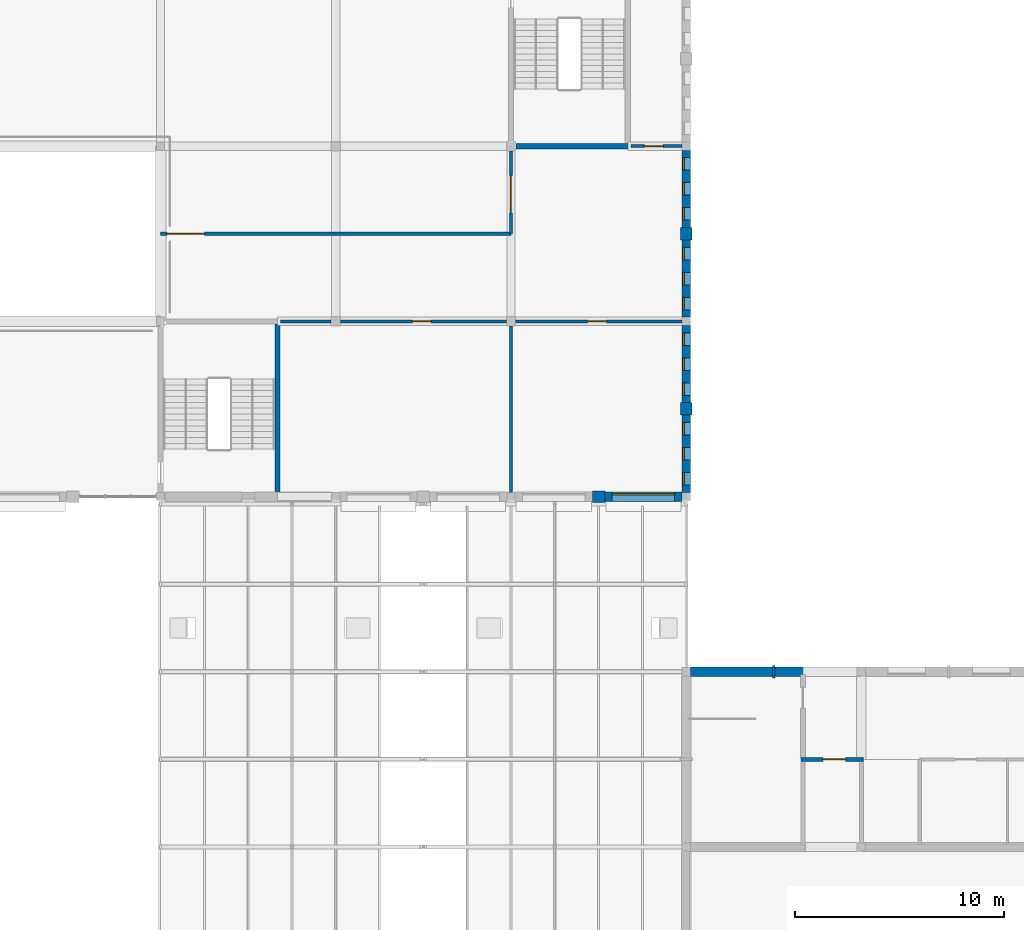
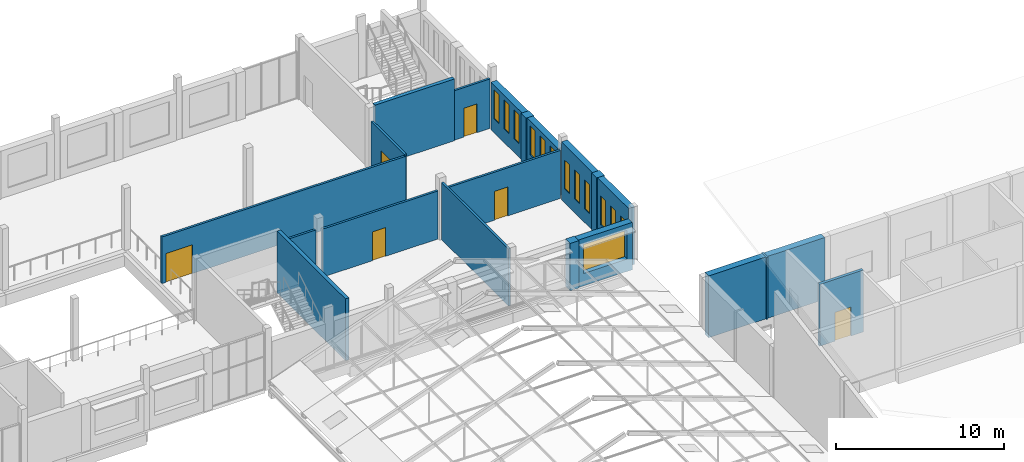
# One storey, part 101 of 116: 21 walls, 13 windows, 6 doors, 19 openings.
"""IFC4 building model written with IfcOpenShell, lengths in metres."""

from ifc_helpers import new_model, si_unit, direction, frame, frame_2d, origin, place, context, subcontext, project, spatial, rectangle, extrude, material, layer, layer_set, type_object, element, fill, save


model = new_model("IFC4")

# Units and contexts
model_context = context("Model", 3, precision=1e-05, world=origin(), true_north=direction((0.0, 1.0)))
body_context = subcontext(model_context, "Body", "Model", "MODEL_VIEW")
ifc_project = project(units=[si_unit("LENGTHUNIT", "METRE"), si_unit("AREAUNIT", "SQUARE_METRE"), si_unit("VOLUMEUNIT", "CUBIC_METRE"), si_unit("PLANEANGLEUNIT", "RADIAN"), si_unit("MASSUNIT", "GRAM", prefix="KILO")], contexts=[model_context])

# Site, building, storey
site_placement = place(None, origin())
site = spatial("IfcSite", under=ifc_project, at=site_placement, CompositionType="ELEMENT")
building_placement = place(site_placement, origin())
building = spatial("IfcBuilding", under=site, at=building_placement, Name="Fescue Hill Polytechnic", CompositionType="ELEMENT")
storey_placement = place(building_placement, frame((0.0, 0.0, 13.5)))
storey = spatial("IfcBuildingStorey", under=building, at=storey_placement, Name="L03", CompositionType="ELEMENT", Elevation=13.5)

# Walls
ifc_material_1 = material(Name="Clay brick masonry", Category="masonry")
ifc_layer_1 = layer(ifc_material_1, 0.550048828125)
ifc_layer_set_1 = layer_set([ifc_layer_1], Name="Clay brick masonry")
wall_type_1 = type_object("IfcWallType", Name="Brick pier 600x550", PredefinedType="SOLIDWALL", material=ifc_layer_set_1)
wall_1_placement = place(storey_placement, frame((113.10009765625, 109.199951171875, 0.0), z_axis=(0.0, 0.0, 1.0), x_axis=(1.0, 0.0, 0.0)))
element("IfcWall", 1, at=wall_1_placement, inside=storey, type_object=wall_type_1, Name="PR-L03-V4b-7", PredefinedType="SOLIDWALL", context=body_context, shape_type="SweptSolid", body=[
    extrude(rectangle(XDim=0.599853515625, YDim=0.550048828125, at=frame_2d((0.2998046875, 0.0))), origin(), (0.0, 0.0, 1.0), 3.449951171875),
])
wall_2_placement = place(storey_placement, frame((117.60009765625, 113.10009765625, 0.0), z_axis=(0.0, 0.0, 1.0), x_axis=(0.0, 1.0, 0.0)))
element("IfcWall", 2, at=wall_2_placement, inside=storey, type_object=wall_type_1, Name="PR-L03-V4b-8", PredefinedType="SOLIDWALL", context=body_context, shape_type="SweptSolid", body=[
    extrude(rectangle(XDim=0.599853515625, YDim=0.550048828125, at=frame_2d((0.2998046875, 0.0))), origin(), (0.0, 0.0, 1.0), 4.199951171875),
])
wall_3_placement = place(storey_placement, frame((117.60009765625, 121.5, 0.0), z_axis=(0.0, 0.0, 1.0), x_axis=(0.0, 1.0, 0.0)))
element("IfcWall", 3, at=wall_3_placement, inside=storey, type_object=wall_type_1, Name="PR-L03-V4b-9", PredefinedType="SOLIDWALL", context=body_context, shape_type="SweptSolid", body=[
    extrude(rectangle(XDim=0.60009765625, YDim=0.550048828125, at=frame_2d((0.300048828125, 0.0))), origin(), (0.0, 0.0, 1.0), 3.449951171875),
])
ifc_material_2 = material(Name="Concrete 40 MPa", Category="concrete")
ifc_layer_2 = layer(ifc_material_2, 0.25)
ifc_layer_set_2 = layer_set([ifc_layer_2], Name="Concrete 40 MPa")
wall_type_2 = type_object("IfcWallType", Name="Core wall 250", PredefinedType="SHEAR", material=ifc_layer_set_2)
wall_4_placement = place(storey_placement, frame((109.449951171875, 126.0, 0.0), z_axis=(0.0, 0.0, 1.0), x_axis=(1.0, 0.0, 0.0)))
element("IfcWall", 4, at=wall_4_placement, inside=storey, type_object=wall_type_2, Name="CW-L03-ST-V4b-2-11", PredefinedType="SHEAR", context=body_context, shape_type="SweptSolid", body=[
    extrude(rectangle(XDim=5.47509765625, YDim=0.25, at=frame_2d((2.737548828125, 0.0))), origin(), (0.0, 0.0, 1.0), 4.5),
])
wall_5_placement = place(storey_placement, frame((98.0, 109.324951171875, 0.0), z_axis=(0.0, 0.0, 1.0), x_axis=(0.0, 1.0, 0.0)))
element("IfcWall", 5, at=wall_5_placement, inside=storey, type_object=wall_type_2, Name="CW-L03-ST-V4b-3-41", PredefinedType="SHEAR", context=body_context, shape_type="SweptSolid", body=[
    extrude(rectangle(XDim=8.150146484375, YDim=0.25, at=frame_2d((4.0751953125, 0.0))), origin(), (0.0, 0.0, 1.0), 4.5),
])
ifc_material_3 = material(Name="Gypsum board partition")
ifc_layer_3 = layer(ifc_material_3, 0.14990234375)
ifc_layer_set_3 = layer_set([ifc_layer_3], Name="Gypsum board partition")
wall_type_3 = type_object("IfcWallType", Name="Corridor wall 150 EI 45", PredefinedType="PARTITIONING", material=ifc_layer_set_3)
wall_6_placement = place(storey_placement, frame((98.14990234375, 117.60009765625, 0.0), z_axis=(0.0, 0.0, 1.0), x_axis=(1.0, 0.0, 0.0)))
element("IfcWall", 6, at=wall_6_placement, inside=storey, type_object=wall_type_3, Name="IW-L03-025", PredefinedType="PARTITIONING", context=body_context, shape_type="SweptSolid", body=[
    extrude(rectangle(XDim=2.425048828125, YDim=0.14990234375, at=frame_2d((1.21240234375, 0.0))), origin(), (0.0, 0.0, 1.0), 3.60009765625),
])

# Wall, opening, door
wall_7_placement = place(storey_placement, frame((101.02490234375, 117.60009765625, 0.0), z_axis=(0.0, 0.0, 1.0), x_axis=(1.0, 0.0, 0.0)))
wall_7 = element("IfcWall", 7, at=wall_7_placement, inside=storey, type_object=wall_type_3, Name="IW-L03-026", PredefinedType="PARTITIONING", context=body_context, shape_type="SweptSolid", body=[
    extrude(rectangle(XDim=7.9501953125, YDim=0.14990234375, at=frame_2d((3.97509765625, 0.0))), origin(), (0.0, 0.0, 1.0), 3.5),
])
opening_1_placement = place(wall_7_placement, frame((3.449951171875, 0.0, 0.0)))
opening_1 = element("IfcOpeningElement", 8, at=opening_1_placement, cuts=wall_7, Name="Opening D3030", PredefinedType="OPENING", context=body_context, shape_type="SweptSolid", body=[
    extrude(rectangle(XDim=0.89990234375, YDim=2.10009765625, at=frame_2d((0.449951171875, 1.050048828125))), frame((0.0, 0.0849609375, 0.0), z_axis=(0.0, -1.0, 0.0), x_axis=(1.0, 0.0, 0.0)), (0.0, 0.0, 1.0), 0.169921875),
])
ifc_material_4 = material(Name="Timber", Category="wood")
door_type_1 = type_object("IfcDoorType", Name="Door single swing 900x2100 FD30S", OperationType="SINGLE_SWING_LEFT", PredefinedType="DOOR", material=ifc_material_4)
door_1_placement = place(opening_1_placement, origin())
door_1 = element("IfcDoor", 9, at=door_1_placement, inside=storey, type_object=door_type_1, Name="Door D3030", OperationType="SINGLE_SWING_LEFT", OverallHeight=2.10009765625, OverallWidth=0.89990234375, PredefinedType="DOOR", context=body_context, shape_type="SweptSolid", body=[
    extrude(rectangle(XDim=0.89990234375, YDim=2.10009765625, at=frame_2d((0.449951171875, 1.050048828125))), frame((0.0, 0.02490234375, 0.0), z_axis=(0.0, -1.0, 0.0), x_axis=(1.0, 0.0, 0.0)), (0.0, 0.0, 1.0), 0.050048828125),
])
fill(opening_1, door_1)

wall_8_placement = place(storey_placement, frame((109.425048828125, 117.60009765625, 0.0), z_axis=(0.0, 0.0, 1.0), x_axis=(1.0, 0.0, 0.0)))
wall_8 = element("IfcWall", 10, at=wall_8_placement, inside=storey, type_object=wall_type_3, Name="IW-L03-027", PredefinedType="PARTITIONING", context=body_context, shape_type="SweptSolid", body=[
    extrude(rectangle(XDim=7.974853515625, YDim=0.14990234375, at=frame_2d((3.9873046875, 0.0))), origin(), (0.0, 0.0, 1.0), 3.5),
])
opening_2_placement = place(wall_8_placement, frame((3.449951171875, 0.0, 0.0)))
opening_2 = element("IfcOpeningElement", 11, at=opening_2_placement, cuts=wall_8, Name="Opening D3031", PredefinedType="OPENING", context=body_context, shape_type="SweptSolid", body=[
    extrude(rectangle(XDim=0.89990234375, YDim=2.10009765625, at=frame_2d((0.449951171875, 1.050048828125))), frame((0.0, 0.0849609375, 0.0), z_axis=(0.0, -1.0, 0.0), x_axis=(1.0, 0.0, 0.0)), (0.0, 0.0, 1.0), 0.169921875),
])
door_2_placement = place(opening_2_placement, origin())
door_2 = element("IfcDoor", 12, at=door_2_placement, inside=storey, type_object=door_type_1, Name="Door D3031", OperationType="SINGLE_SWING_LEFT", OverallHeight=2.10009765625, OverallWidth=0.89990234375, PredefinedType="DOOR", context=body_context, shape_type="SweptSolid", body=[
    extrude(rectangle(XDim=0.89990234375, YDim=2.10009765625, at=frame_2d((0.449951171875, 1.050048828125))), frame((0.0, 0.02490234375, 0.0), z_axis=(0.0, -1.0, 0.0), x_axis=(1.0, 0.0, 0.0)), (0.0, 0.0, 1.0), 0.050048828125),
])
fill(opening_2, door_2)

wall_9_placement = place(storey_placement, frame((92.39990234375, 121.800048828125, 0.0), z_axis=(0.0, 0.0, 1.0), x_axis=(1.0, 0.0, 0.0)))
wall_9 = element("IfcWall", 13, at=wall_9_placement, inside=storey, type_object=wall_type_3, Name="IW-L03-034", PredefinedType="PARTITIONING", context=body_context, shape_type="SweptSolid", body=[
    extrude(rectangle(XDim=16.800048828125, YDim=0.14990234375, at=frame_2d((8.39990234375, 0.0))), origin(), (0.0, 0.0, 1.0), 3.39990234375),
])
opening_3_placement = place(wall_9_placement, frame((0.300048828125, 0.0, 0.0)))
opening_3 = element("IfcOpeningElement", 14, at=opening_3_placement, cuts=wall_9, Name="Opening D3035", PredefinedType="OPENING", context=body_context, shape_type="SweptSolid", body=[
    extrude(rectangle(XDim=1.800048828125, YDim=2.10009765625, at=frame_2d((0.89990234375, 1.050048828125))), frame((0.0, 0.0849609375, 0.0), z_axis=(0.0, -1.0, 0.0), x_axis=(1.0, 0.0, 0.0)), (0.0, 0.0, 1.0), 0.169921875),
])
door_type_2 = type_object("IfcDoorType", Name="Door double swing 1800x2100 FD30S", OperationType="DOUBLE_DOOR_SINGLE_SWING", PredefinedType="DOOR", material=ifc_material_4)
door_3_placement = place(opening_3_placement, origin())
door_3 = element("IfcDoor", 15, at=door_3_placement, inside=storey, type_object=door_type_2, Name="Door D3035", OperationType="DOUBLE_DOOR_SINGLE_SWING", OverallHeight=2.10009765625, OverallWidth=1.800048828125, PredefinedType="DOOR", context=body_context, shape_type="SweptSolid", body=[
    extrude(rectangle(XDim=1.800048828125, YDim=2.10009765625, at=frame_2d((0.89990234375, 1.050048828125))), frame((0.0, 0.02490234375, 0.0), z_axis=(0.0, -1.0, 0.0), x_axis=(1.0, 0.0, 0.0)), (0.0, 0.0, 1.0), 0.050048828125),
])
fill(opening_3, door_3)

# Wall, opening, window
ifc_layer_4 = layer(ifc_material_2, 0.449951171875)
ifc_layer_set_4 = layer_set([ifc_layer_4], Name="Concrete 40 MPa")
wall_type_4 = type_object("IfcWallType", Name="Exterior wall board-marked concrete 450", PredefinedType="SOLIDWALL", material=ifc_layer_set_4)
wall_10_placement = place(storey_placement, frame((113.699951171875, 109.199951171875, 0.0), z_axis=(0.0, 0.0, 1.0), x_axis=(1.0, 0.0, 0.0)))
wall_10 = element("IfcWall", 16, at=wall_10_placement, inside=storey, type_object=wall_type_4, Name="EW-L03-V4b-14", PredefinedType="SOLIDWALL", context=body_context, shape_type="SweptSolid", body=[
    extrude(rectangle(XDim=3.699951171875, YDim=0.449951171875, at=frame_2d((1.85009765625, 0.0))), origin(), (0.0, 0.0, 1.0), 3.449951171875),
])
opening_4_placement = place(wall_10_placement, frame((0.35009765625, 0.0, 0.89990234375)))
opening_4 = element("IfcOpeningElement", 17, at=opening_4_placement, cuts=wall_10, Name="Opening W5", PredefinedType="OPENING", context=body_context, shape_type="SweptSolid", body=[
    extrude(rectangle(XDim=3.0, YDim=2.10009765625, at=frame_2d((1.5, 1.050048828125))), frame((0.0, 0.23486328125, 0.0), z_axis=(0.0, -1.0, 0.0), x_axis=(1.0, 0.0, 0.0)), (0.0, 0.0, 1.0), 0.469970703125),
])
ifc_material_5 = material(Name="Powder-coated aluminium and glass", Category="aluminium")
window_type_1 = type_object("IfcWindowType", Name="Window studio large 3000x2100", PartitioningType="SINGLE_PANEL", PredefinedType="WINDOW", material=ifc_material_5)
window_1_placement = place(opening_4_placement, origin())
window_1 = element("IfcWindow", 18, at=window_1_placement, inside=storey, type_object=window_type_1, Name="WN-L03-V4b-7", OverallHeight=2.10009765625, OverallWidth=3.0, PartitioningType="SINGLE_PANEL", PredefinedType="WINDOW", context=body_context, shape_type="SweptSolid", body=[
    extrude(rectangle(XDim=3.0, YDim=2.10009765625, at=frame_2d((1.5, 1.050048828125))), frame((0.0, 0.135009765625, 0.0), z_axis=(0.0, -1.0, 0.0), x_axis=(1.0, 0.0, 0.0)), (0.0, 0.0, 1.0), 0.06005859375),
])
fill(opening_4, window_1)

# Walls
ifc_layer_5 = layer(ifc_material_2, 0.449951171875)
ifc_layer_set_5 = layer_set([ifc_layer_5], Name="Concrete 40 MPa")
wall_type_5 = type_object("IfcWallType", Name="Exterior wall board-marked concrete 450 load-bearing", PredefinedType="SOLIDWALL", material=ifc_layer_set_5)
for number, where, z_axis, x_axis, name in (
    (19, (125.800048828125, 100.800048828125, 0.0), (0.0, 0.0, 1.0), (-1.0, 0.0, 0.0), "EW-L03-V2-7"),
    (20, (121.739990234375, 100.800048828125, 0.0), (0.0, 0.0, 1.0), (-1.0, 0.0, 0.0), "EW-L03-V2-8"),
):
    element("IfcWall", number, at=place(storey_placement, frame(where, z_axis=z_axis, x_axis=x_axis)), inside=storey, type_object=wall_type_5, Name=name, PredefinedType="SOLIDWALL", context=body_context, shape_type="SweptSolid", body=[
        extrude(rectangle(XDim=3.93994140625, YDim=0.449951171875, at=frame_2d((1.969970703125, 0.0))), origin(), (0.0, 0.0, 1.0), 4.5),
    ])

# Wall, openings, windows
ifc_layer_6 = layer(ifc_material_1, 0.419921875)
ifc_layer_set_6 = layer_set([ifc_layer_6], Name="Clay brick masonry")
wall_type_6 = type_object("IfcWallType", Name="Exterior wall buff-red brick cavity 420", PredefinedType="SOLIDWALL", material=ifc_layer_set_6)
wall_11_placement = place(storey_placement, frame((117.60009765625, 109.39990234375, 0.0), z_axis=(0.0, 0.0, 1.0), x_axis=(0.0, 1.0, 0.0)))
wall_11 = element("IfcWall", 21, at=wall_11_placement, inside=storey, type_object=wall_type_6, Name="EW-L03-V4b-15", PredefinedType="SOLIDWALL", context=body_context, shape_type="SweptSolid", body=[
    extrude(rectangle(XDim=3.7001953125, YDim=0.419921875, at=frame_2d((1.85009765625, 0.0))), origin(), (0.0, 0.0, 1.0), 4.199951171875),
])
opening_5_placement = place(wall_11_placement, frame((0.35009765625, 0.0, 1.0)))
opening_5 = element("IfcOpeningElement", 22, at=opening_5_placement, cuts=wall_11, Name="Opening W6", PredefinedType="OPENING", context=body_context, shape_type="SweptSolid", body=[
    extrude(rectangle(XDim=0.60009765625, YDim=2.10009765625, at=frame_2d((0.300048828125, 1.050048828125))), frame((0.0, 0.219970703125, 0.0), z_axis=(0.0, -1.0, 0.0), x_axis=(1.0, 0.0, 0.0)), (0.0, 0.0, 1.0), 0.43994140625),
])
opening_6_placement = place(wall_11_placement, frame((1.550048828125, 0.0, 1.0)))
opening_6 = element("IfcOpeningElement", 23, at=opening_6_placement, cuts=wall_11, Name="Opening W6", PredefinedType="OPENING", context=body_context, shape_type="SweptSolid", body=[
    extrude(rectangle(XDim=0.60009765625, YDim=2.10009765625, at=frame_2d((0.300048828125, 1.050048828125))), frame((0.0, 0.219970703125, 0.0), z_axis=(0.0, -1.0, 0.0), x_axis=(1.0, 0.0, 0.0)), (0.0, 0.0, 1.0), 0.43994140625),
])
opening_7_placement = place(wall_11_placement, frame((2.75, 0.0, 1.0)))
opening_7 = element("IfcOpeningElement", 24, at=opening_7_placement, cuts=wall_11, Name="Opening W6", PredefinedType="OPENING", context=body_context, shape_type="SweptSolid", body=[
    extrude(rectangle(XDim=0.60009765625, YDim=2.10009765625, at=frame_2d((0.300048828125, 1.050048828125))), frame((0.0, 0.219970703125, 0.0), z_axis=(0.0, -1.0, 0.0), x_axis=(1.0, 0.0, 0.0)), (0.0, 0.0, 1.0), 0.43994140625),
])
window_type_2 = type_object("IfcWindowType", Name="Window slot 600x2100", PartitioningType="SINGLE_PANEL", PredefinedType="WINDOW", material=ifc_material_5)
window_2_placement = place(opening_5_placement, origin())
window_2 = element("IfcWindow", 25, at=window_2_placement, inside=storey, type_object=window_type_2, Name="WN-L03-V4b-8", OverallHeight=2.10009765625, OverallWidth=0.60009765625, PartitioningType="SINGLE_PANEL", PredefinedType="WINDOW", context=body_context, shape_type="SweptSolid", body=[
    extrude(rectangle(XDim=0.60009765625, YDim=2.10009765625, at=frame_2d((0.300048828125, 1.050048828125))), frame((0.0, 0.150146484375, 0.0), z_axis=(0.0, -1.0, 0.0), x_axis=(1.0, 0.0, 0.0)), (0.0, 0.0, 1.0), 0.06005859375),
])
fill(opening_5, window_2)
window_3_placement = place(opening_6_placement, origin())
window_3 = element("IfcWindow", 26, at=window_3_placement, inside=storey, type_object=window_type_2, Name="WN-L03-V4b-9", OverallHeight=2.10009765625, OverallWidth=0.60009765625, PartitioningType="SINGLE_PANEL", PredefinedType="WINDOW", context=body_context, shape_type="SweptSolid", body=[
    extrude(rectangle(XDim=0.60009765625, YDim=2.10009765625, at=frame_2d((0.300048828125, 1.050048828125))), frame((0.0, 0.150146484375, 0.0), z_axis=(0.0, -1.0, 0.0), x_axis=(1.0, 0.0, 0.0)), (0.0, 0.0, 1.0), 0.06005859375),
])
fill(opening_6, window_3)
window_4_placement = place(opening_7_placement, origin())
window_4 = element("IfcWindow", 27, at=window_4_placement, inside=storey, type_object=window_type_2, Name="WN-L03-V4b-10", OverallHeight=2.10009765625, OverallWidth=0.60009765625, PartitioningType="SINGLE_PANEL", PredefinedType="WINDOW", context=body_context, shape_type="SweptSolid", body=[
    extrude(rectangle(XDim=0.60009765625, YDim=2.10009765625, at=frame_2d((0.300048828125, 1.050048828125))), frame((0.0, 0.150146484375, 0.0), z_axis=(0.0, -1.0, 0.0), x_axis=(1.0, 0.0, 0.0)), (0.0, 0.0, 1.0), 0.06005859375),
])
fill(opening_7, window_4)

wall_12_placement = place(storey_placement, frame((117.60009765625, 113.699951171875, 0.0), z_axis=(0.0, 0.0, 1.0), x_axis=(0.0, 1.0, 0.0)))
wall_12 = element("IfcWall", 28, at=wall_12_placement, inside=storey, type_object=wall_type_6, Name="EW-L03-V4b-16", PredefinedType="SOLIDWALL", context=body_context, shape_type="SweptSolid", body=[
    extrude(rectangle(XDim=3.699951171875, YDim=0.419921875, at=frame_2d((1.85009765625, 0.0))), origin(), (0.0, 0.0, 1.0), 4.199951171875),
])
opening_8_placement = place(wall_12_placement, frame((0.35009765625, 0.0, 1.0)))
opening_8 = element("IfcOpeningElement", 29, at=opening_8_placement, cuts=wall_12, Name="Opening W6", PredefinedType="OPENING", context=body_context, shape_type="SweptSolid", body=[
    extrude(rectangle(XDim=0.60009765625, YDim=2.10009765625, at=frame_2d((0.300048828125, 1.050048828125))), frame((0.0, 0.219970703125, 0.0), z_axis=(0.0, -1.0, 0.0), x_axis=(1.0, 0.0, 0.0)), (0.0, 0.0, 1.0), 0.43994140625),
])
opening_9_placement = place(wall_12_placement, frame((1.550048828125, 0.0, 1.0)))
opening_9 = element("IfcOpeningElement", 30, at=opening_9_placement, cuts=wall_12, Name="Opening W6", PredefinedType="OPENING", context=body_context, shape_type="SweptSolid", body=[
    extrude(rectangle(XDim=0.60009765625, YDim=2.10009765625, at=frame_2d((0.300048828125, 1.050048828125))), frame((0.0, 0.219970703125, 0.0), z_axis=(0.0, -1.0, 0.0), x_axis=(1.0, 0.0, 0.0)), (0.0, 0.0, 1.0), 0.43994140625),
])
opening_10_placement = place(wall_12_placement, frame((2.75, 0.0, 1.0)))
opening_10 = element("IfcOpeningElement", 31, at=opening_10_placement, cuts=wall_12, Name="Opening W6", PredefinedType="OPENING", context=body_context, shape_type="SweptSolid", body=[
    extrude(rectangle(XDim=0.60009765625, YDim=2.10009765625, at=frame_2d((0.300048828125, 1.050048828125))), frame((0.0, 0.219970703125, 0.0), z_axis=(0.0, -1.0, 0.0), x_axis=(1.0, 0.0, 0.0)), (0.0, 0.0, 1.0), 0.43994140625),
])
window_5_placement = place(opening_8_placement, origin())
window_5 = element("IfcWindow", 32, at=window_5_placement, inside=storey, type_object=window_type_2, Name="WN-L03-V4b-11", OverallHeight=2.10009765625, OverallWidth=0.60009765625, PartitioningType="SINGLE_PANEL", PredefinedType="WINDOW", context=body_context, shape_type="SweptSolid", body=[
    extrude(rectangle(XDim=0.60009765625, YDim=2.10009765625, at=frame_2d((0.300048828125, 1.050048828125))), frame((0.0, 0.150146484375, 0.0), z_axis=(0.0, -1.0, 0.0), x_axis=(1.0, 0.0, 0.0)), (0.0, 0.0, 1.0), 0.06005859375),
])
fill(opening_8, window_5)
window_6_placement = place(opening_9_placement, origin())
window_6 = element("IfcWindow", 33, at=window_6_placement, inside=storey, type_object=window_type_2, Name="WN-L03-V4b-12", OverallHeight=2.10009765625, OverallWidth=0.60009765625, PartitioningType="SINGLE_PANEL", PredefinedType="WINDOW", context=body_context, shape_type="SweptSolid", body=[
    extrude(rectangle(XDim=0.60009765625, YDim=2.10009765625, at=frame_2d((0.300048828125, 1.050048828125))), frame((0.0, 0.150146484375, 0.0), z_axis=(0.0, -1.0, 0.0), x_axis=(1.0, 0.0, 0.0)), (0.0, 0.0, 1.0), 0.06005859375),
])
fill(opening_9, window_6)
window_7_placement = place(opening_10_placement, origin())
window_7 = element("IfcWindow", 34, at=window_7_placement, inside=storey, type_object=window_type_2, Name="WN-L03-V4b-13", OverallHeight=2.10009765625, OverallWidth=0.60009765625, PartitioningType="SINGLE_PANEL", PredefinedType="WINDOW", context=body_context, shape_type="SweptSolid", body=[
    extrude(rectangle(XDim=0.60009765625, YDim=2.10009765625, at=frame_2d((0.300048828125, 1.050048828125))), frame((0.0, 0.150146484375, 0.0), z_axis=(0.0, -1.0, 0.0), x_axis=(1.0, 0.0, 0.0)), (0.0, 0.0, 1.0), 0.06005859375),
])
fill(opening_10, window_7)

wall_13_placement = place(storey_placement, frame((117.60009765625, 117.800048828125, 0.0), z_axis=(0.0, 0.0, 1.0), x_axis=(0.0, 1.0, 0.0)))
wall_13 = element("IfcWall", 35, at=wall_13_placement, inside=storey, type_object=wall_type_6, Name="EW-L03-V4b-17", PredefinedType="SOLIDWALL", context=body_context, shape_type="SweptSolid", body=[
    extrude(rectangle(XDim=3.699951171875, YDim=0.419921875, at=frame_2d((1.85009765625, 0.0))), origin(), (0.0, 0.0, 1.0), 3.449951171875),
])
opening_11_placement = place(wall_13_placement, frame((0.35009765625, 0.0, 1.0)))
opening_11 = element("IfcOpeningElement", 36, at=opening_11_placement, cuts=wall_13, Name="Opening W6", PredefinedType="OPENING", context=body_context, shape_type="SweptSolid", body=[
    extrude(rectangle(XDim=0.60009765625, YDim=2.10009765625, at=frame_2d((0.300048828125, 1.050048828125))), frame((0.0, 0.219970703125, 0.0), z_axis=(0.0, -1.0, 0.0), x_axis=(1.0, 0.0, 0.0)), (0.0, 0.0, 1.0), 0.43994140625),
])
opening_12_placement = place(wall_13_placement, frame((1.550048828125, 0.0, 1.0)))
opening_12 = element("IfcOpeningElement", 37, at=opening_12_placement, cuts=wall_13, Name="Opening W6", PredefinedType="OPENING", context=body_context, shape_type="SweptSolid", body=[
    extrude(rectangle(XDim=0.60009765625, YDim=2.10009765625, at=frame_2d((0.300048828125, 1.050048828125))), frame((0.0, 0.219970703125, 0.0), z_axis=(0.0, -1.0, 0.0), x_axis=(1.0, 0.0, 0.0)), (0.0, 0.0, 1.0), 0.43994140625),
])
opening_13_placement = place(wall_13_placement, frame((2.75, 0.0, 1.0)))
opening_13 = element("IfcOpeningElement", 38, at=opening_13_placement, cuts=wall_13, Name="Opening W6", PredefinedType="OPENING", context=body_context, shape_type="SweptSolid", body=[
    extrude(rectangle(XDim=0.60009765625, YDim=2.10009765625, at=frame_2d((0.300048828125, 1.050048828125))), frame((0.0, 0.219970703125, 0.0), z_axis=(0.0, -1.0, 0.0), x_axis=(1.0, 0.0, 0.0)), (0.0, 0.0, 1.0), 0.43994140625),
])
window_8_placement = place(opening_11_placement, origin())
window_8 = element("IfcWindow", 39, at=window_8_placement, inside=storey, type_object=window_type_2, Name="WN-L03-V4b-14", OverallHeight=2.10009765625, OverallWidth=0.60009765625, PartitioningType="SINGLE_PANEL", PredefinedType="WINDOW", context=body_context, shape_type="SweptSolid", body=[
    extrude(rectangle(XDim=0.60009765625, YDim=2.10009765625, at=frame_2d((0.300048828125, 1.050048828125))), frame((0.0, 0.150146484375, 0.0), z_axis=(0.0, -1.0, 0.0), x_axis=(1.0, 0.0, 0.0)), (0.0, 0.0, 1.0), 0.06005859375),
])
fill(opening_11, window_8)
window_9_placement = place(opening_12_placement, origin())
window_9 = element("IfcWindow", 40, at=window_9_placement, inside=storey, type_object=window_type_2, Name="WN-L03-V4b-15", OverallHeight=2.10009765625, OverallWidth=0.60009765625, PartitioningType="SINGLE_PANEL", PredefinedType="WINDOW", context=body_context, shape_type="SweptSolid", body=[
    extrude(rectangle(XDim=0.60009765625, YDim=2.10009765625, at=frame_2d((0.300048828125, 1.050048828125))), frame((0.0, 0.150146484375, 0.0), z_axis=(0.0, -1.0, 0.0), x_axis=(1.0, 0.0, 0.0)), (0.0, 0.0, 1.0), 0.06005859375),
])
fill(opening_12, window_9)
window_10_placement = place(opening_13_placement, origin())
window_10 = element("IfcWindow", 41, at=window_10_placement, inside=storey, type_object=window_type_2, Name="WN-L03-V4b-16", OverallHeight=2.10009765625, OverallWidth=0.60009765625, PartitioningType="SINGLE_PANEL", PredefinedType="WINDOW", context=body_context, shape_type="SweptSolid", body=[
    extrude(rectangle(XDim=0.60009765625, YDim=2.10009765625, at=frame_2d((0.300048828125, 1.050048828125))), frame((0.0, 0.150146484375, 0.0), z_axis=(0.0, -1.0, 0.0), x_axis=(1.0, 0.0, 0.0)), (0.0, 0.0, 1.0), 0.06005859375),
])
fill(opening_13, window_10)

wall_14_placement = place(storey_placement, frame((117.60009765625, 122.10009765625, 0.0), z_axis=(0.0, 0.0, 1.0), x_axis=(0.0, 1.0, 0.0)))
wall_14 = element("IfcWall", 42, at=wall_14_placement, inside=storey, type_object=wall_type_6, Name="EW-L03-V4b-18", PredefinedType="SOLIDWALL", context=body_context, shape_type="SweptSolid", body=[
    extrude(rectangle(XDim=3.699951171875, YDim=0.419921875, at=frame_2d((1.85009765625, 0.0))), origin(), (0.0, 0.0, 1.0), 3.449951171875),
])
opening_14_placement = place(wall_14_placement, frame((0.35009765625, 0.0, 1.0)))
opening_14 = element("IfcOpeningElement", 43, at=opening_14_placement, cuts=wall_14, Name="Opening W6", PredefinedType="OPENING", context=body_context, shape_type="SweptSolid", body=[
    extrude(rectangle(XDim=0.60009765625, YDim=2.10009765625, at=frame_2d((0.300048828125, 1.050048828125))), frame((0.0, 0.219970703125, 0.0), z_axis=(0.0, -1.0, 0.0), x_axis=(1.0, 0.0, 0.0)), (0.0, 0.0, 1.0), 0.43994140625),
])
opening_15_placement = place(wall_14_placement, frame((1.550048828125, 0.0, 1.0)))
opening_15 = element("IfcOpeningElement", 44, at=opening_15_placement, cuts=wall_14, Name="Opening W6", PredefinedType="OPENING", context=body_context, shape_type="SweptSolid", body=[
    extrude(rectangle(XDim=0.60009765625, YDim=2.10009765625, at=frame_2d((0.300048828125, 1.050048828125))), frame((0.0, 0.219970703125, 0.0), z_axis=(0.0, -1.0, 0.0), x_axis=(1.0, 0.0, 0.0)), (0.0, 0.0, 1.0), 0.43994140625),
])
opening_16_placement = place(wall_14_placement, frame((2.75, 0.0, 1.0)))
opening_16 = element("IfcOpeningElement", 45, at=opening_16_placement, cuts=wall_14, Name="Opening W6", PredefinedType="OPENING", context=body_context, shape_type="SweptSolid", body=[
    extrude(rectangle(XDim=0.60009765625, YDim=2.10009765625, at=frame_2d((0.300048828125, 1.050048828125))), frame((0.0, 0.219970703125, 0.0), z_axis=(0.0, -1.0, 0.0), x_axis=(1.0, 0.0, 0.0)), (0.0, 0.0, 1.0), 0.43994140625),
])
window_11_placement = place(opening_14_placement, origin())
window_11 = element("IfcWindow", 46, at=window_11_placement, inside=storey, type_object=window_type_2, Name="WN-L03-V4b-17", OverallHeight=2.10009765625, OverallWidth=0.60009765625, PartitioningType="SINGLE_PANEL", PredefinedType="WINDOW", context=body_context, shape_type="SweptSolid", body=[
    extrude(rectangle(XDim=0.60009765625, YDim=2.10009765625, at=frame_2d((0.300048828125, 1.050048828125))), frame((0.0, 0.150146484375, 0.0), z_axis=(0.0, -1.0, 0.0), x_axis=(1.0, 0.0, 0.0)), (0.0, 0.0, 1.0), 0.06005859375),
])
fill(opening_14, window_11)
window_12_placement = place(opening_15_placement, origin())
window_12 = element("IfcWindow", 47, at=window_12_placement, inside=storey, type_object=window_type_2, Name="WN-L03-V4b-18", OverallHeight=2.10009765625, OverallWidth=0.60009765625, PartitioningType="SINGLE_PANEL", PredefinedType="WINDOW", context=body_context, shape_type="SweptSolid", body=[
    extrude(rectangle(XDim=0.60009765625, YDim=2.10009765625, at=frame_2d((0.300048828125, 1.050048828125))), frame((0.0, 0.150146484375, 0.0), z_axis=(0.0, -1.0, 0.0), x_axis=(1.0, 0.0, 0.0)), (0.0, 0.0, 1.0), 0.06005859375),
])
fill(opening_15, window_12)
window_13_placement = place(opening_16_placement, origin())
window_13 = element("IfcWindow", 48, at=window_13_placement, inside=storey, type_object=window_type_2, Name="WN-L03-V4b-19", OverallHeight=2.10009765625, OverallWidth=0.60009765625, PartitioningType="SINGLE_PANEL", PredefinedType="WINDOW", context=body_context, shape_type="SweptSolid", body=[
    extrude(rectangle(XDim=0.60009765625, YDim=2.10009765625, at=frame_2d((0.300048828125, 1.050048828125))), frame((0.0, 0.150146484375, 0.0), z_axis=(0.0, -1.0, 0.0), x_axis=(1.0, 0.0, 0.0)), (0.0, 0.0, 1.0), 0.06005859375),
])
fill(opening_16, window_13)

# Wall, opening, door
ifc_layer_7 = layer(ifc_material_2, 0.199951171875)
ifc_layer_set_7 = layer_set([ifc_layer_7], Name="Concrete 40 MPa")
wall_type_7 = type_object("IfcWallType", Name="Lift shaft wall 200", PredefinedType="SHEAR", material=ifc_layer_set_7)
wall_15_placement = place(storey_placement, frame((123.10009765625, 96.60009765625, 0.0), z_axis=(0.0, 0.0, 1.0), x_axis=(1.0, 0.0, 0.0)))
wall_15 = element("IfcWall", 49, at=wall_15_placement, inside=storey, type_object=wall_type_7, Name="CW-L03-LF-V2-1-21", PredefinedType="SHEAR", context=body_context, shape_type="SweptSolid", body=[
    extrude(rectangle(XDim=3.0, YDim=0.199951171875, at=frame_2d((1.5, 0.0))), origin(), (0.0, 0.0, 1.0), 4.5),
])
opening_17_placement = place(wall_15_placement, frame((1.050048828125, 0.0, 0.0)))
opening_17 = element("IfcOpeningElement", 50, at=opening_17_placement, cuts=wall_15, Name="Opening LD3-L03", PredefinedType="OPENING", context=body_context, shape_type="SweptSolid", body=[
    extrude(rectangle(XDim=1.10009765625, YDim=2.10009765625, at=frame_2d((0.550048828125, 1.050048828125))), frame((0.0, 0.10986328125, 0.0), z_axis=(0.0, -1.0, 0.0), x_axis=(1.0, 0.0, 0.0)), (0.0, 0.0, 1.0), 0.219970703125),
])
ifc_material_6 = material(Name="Stainless steel", Category="steel")
door_type_3 = type_object("IfcDoorType", Name="Lift landing door sliding 1100x2100", OperationType="SLIDING_TO_LEFT", PredefinedType="DOOR", material=ifc_material_6)
door_4_placement = place(opening_17_placement, origin())
door_4 = element("IfcDoor", 51, at=door_4_placement, inside=storey, type_object=door_type_3, Name="L03 LF-V2-1 lift landing door", OperationType="SLIDING_TO_RIGHT", OverallHeight=2.10009765625, OverallWidth=1.10009765625, PredefinedType="DOOR", context=body_context, shape_type="SweptSolid", body=[
    extrude(rectangle(XDim=1.10009765625, YDim=2.10009765625, at=frame_2d((0.550048828125, 1.050048828125))), frame((0.0, 0.02490234375, 0.0), z_axis=(0.0, -1.0, 0.0), x_axis=(1.0, 0.0, 0.0)), (0.0, 0.0, 1.0), 0.050048828125),
])
fill(opening_17, door_4)

ifc_layer_8 = layer(ifc_material_3, 0.14990234375)
ifc_layer_set_8 = layer_set([ifc_layer_8], Name="Gypsum board partition")
wall_type_8 = type_object("IfcWallType", Name="Lobby wall 150 EI 60", PredefinedType="PARTITIONING", material=ifc_layer_set_8)
wall_16_placement = place(storey_placement, frame((114.949951171875, 126.0, 0.0), z_axis=(0.0, 0.0, 1.0), x_axis=(1.0, 0.0, 0.0)))
wall_16 = element("IfcWall", 52, at=wall_16_placement, inside=storey, type_object=wall_type_8, Name="IW-L03-035", PredefinedType="PARTITIONING", context=body_context, shape_type="SweptSolid", body=[
    extrude(rectangle(XDim=2.449951171875, YDim=0.14990234375, at=frame_2d((1.22509765625, 0.0))), origin(), (0.0, 0.0, 1.0), 3.60009765625),
])
opening_18_placement = place(wall_16_placement, frame((0.64990234375, 0.0, 0.0)))
opening_18 = element("IfcOpeningElement", 53, at=opening_18_placement, cuts=wall_16, Name="Opening D3025", PredefinedType="OPENING", context=body_context, shape_type="SweptSolid", body=[
    extrude(rectangle(XDim=0.89990234375, YDim=2.10009765625, at=frame_2d((0.449951171875, 1.050048828125))), frame((0.0, 0.0849609375, 0.0), z_axis=(0.0, -1.0, 0.0), x_axis=(1.0, 0.0, 0.0)), (0.0, 0.0, 1.0), 0.169921875),
])
ifc_material_7 = material(Name="Steel", Category="steel")
door_type_4 = type_object("IfcDoorType", Name="Door single swing 900x2100 FD60", OperationType="SINGLE_SWING_LEFT", PredefinedType="DOOR", material=ifc_material_7)
door_5_placement = place(opening_18_placement, origin())
door_5 = element("IfcDoor", 54, at=door_5_placement, inside=storey, type_object=door_type_4, Name="Door D3025", OperationType="SINGLE_SWING_LEFT", OverallHeight=2.10009765625, OverallWidth=0.89990234375, PredefinedType="DOOR", context=body_context, shape_type="SweptSolid", body=[
    extrude(rectangle(XDim=0.89990234375, YDim=2.10009765625, at=frame_2d((0.449951171875, 1.050048828125))), frame((0.0, 0.02490234375, 0.0), z_axis=(0.0, -1.0, 0.0), x_axis=(1.0, 0.0, 0.0)), (0.0, 0.0, 1.0), 0.050048828125),
])
fill(opening_18, door_5)

wall_17_placement = place(storey_placement, frame((109.199951171875, 121.800048828125, 0.0), z_axis=(0.0, 0.0, 1.0), x_axis=(0.0, 1.0, 0.0)))
wall_17 = element("IfcWall", 55, at=wall_17_placement, inside=storey, type_object=wall_type_8, Name="IW-L03-059", PredefinedType="PARTITIONING", context=body_context, shape_type="SweptSolid", body=[
    extrude(rectangle(XDim=3.974853515625, YDim=0.14990234375, at=frame_2d((1.9873046875, 0.0))), origin(), (0.0, 0.0, 1.0), 3.5),
])
opening_19_placement = place(wall_17_placement, frame((1.0, 0.0, 0.0)))
opening_19 = element("IfcOpeningElement", 56, at=opening_19_placement, cuts=wall_17, Name="Opening D3034", PredefinedType="OPENING", context=body_context, shape_type="SweptSolid", body=[
    extrude(rectangle(XDim=1.800048828125, YDim=2.10009765625, at=frame_2d((0.89990234375, 1.050048828125))), frame((0.0, 0.0849609375, 0.0), z_axis=(0.0, -1.0, 0.0), x_axis=(1.0, 0.0, 0.0)), (0.0, 0.0, 1.0), 0.169921875),
])
door_type_5 = type_object("IfcDoorType", Name="Door double swing 1800x2100 FD60", OperationType="DOUBLE_DOOR_SINGLE_SWING", PredefinedType="DOOR", material=ifc_material_7)
door_6_placement = place(opening_19_placement, origin())
door_6 = element("IfcDoor", 57, at=door_6_placement, inside=storey, type_object=door_type_5, Name="Door D3034", OperationType="DOUBLE_DOOR_SINGLE_SWING", OverallHeight=2.10009765625, OverallWidth=1.800048828125, PredefinedType="DOOR", context=body_context, shape_type="SweptSolid", body=[
    extrude(rectangle(XDim=1.800048828125, YDim=2.10009765625, at=frame_2d((0.89990234375, 1.050048828125))), frame((0.0, 0.02490234375, 0.0), z_axis=(0.0, -1.0, 0.0), x_axis=(1.0, 0.0, 0.0)), (0.0, 0.0, 1.0), 0.050048828125),
])
fill(opening_19, door_6)

# Walls
ifc_layer_9 = layer(ifc_material_3, 0.14990234375)
ifc_layer_set_9 = layer_set([ifc_layer_9], Name="Gypsum board partition")
wall_type_9 = type_object("IfcWallType", Name="Partition stud 150 acoustic", PredefinedType="PARTITIONING", material=ifc_layer_set_9)
wall_18_placement = place(storey_placement, frame((109.199951171875, 109.39990234375, 0.0), z_axis=(0.0, 0.0, 1.0), x_axis=(0.0, 1.0, 0.0)))
element("IfcWall", 58, at=wall_18_placement, inside=storey, type_object=wall_type_9, Name="IW-L03-060", PredefinedType="PARTITIONING", context=body_context, shape_type="SweptSolid", body=[
    extrude(rectangle(XDim=7.97509765625, YDim=0.14990234375, at=frame_2d((3.987548828125, 0.0))), origin(), (0.0, 0.0, 1.0), 4.14990234375),
])
ifc_material_8 = material(Name="Glulam 24f-EX", Category="wood")
ifc_layer_10 = layer(ifc_material_8, 0.60009765625)
ifc_layer_set_10 = layer_set([ifc_layer_10], Name="Glulam 24f-EX")
wall_type_10 = type_object("IfcWallType", Name="Timber fin 120x600", PredefinedType="SOLIDWALL", material=ifc_layer_set_10)
wall_19_placement = place(storey_placement, frame((121.860107421875, 100.800048828125, 0.0), z_axis=(0.0, 0.0, 1.0), x_axis=(-1.0, 0.0, 0.0)))
element("IfcWall", 59, at=wall_19_placement, inside=storey, type_object=wall_type_10, Name="PR-L03-V2-4", PredefinedType="SOLIDWALL", context=body_context, shape_type="SweptSolid", body=[
    extrude(rectangle(XDim=0.1201171875, YDim=0.60009765625, at=frame_2d((0.06005859375, 0.0))), origin(), (0.0, 0.0, 1.0), 4.5),
])

save(model, "model.ifc")
